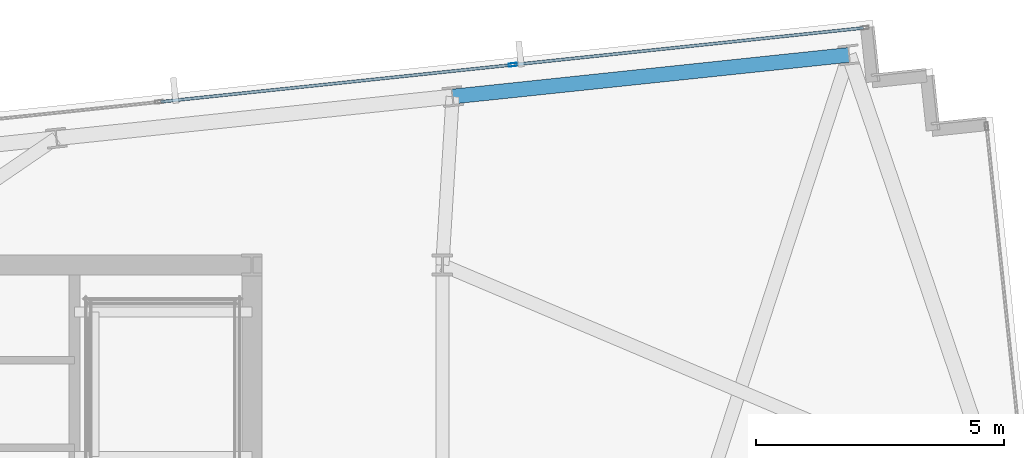
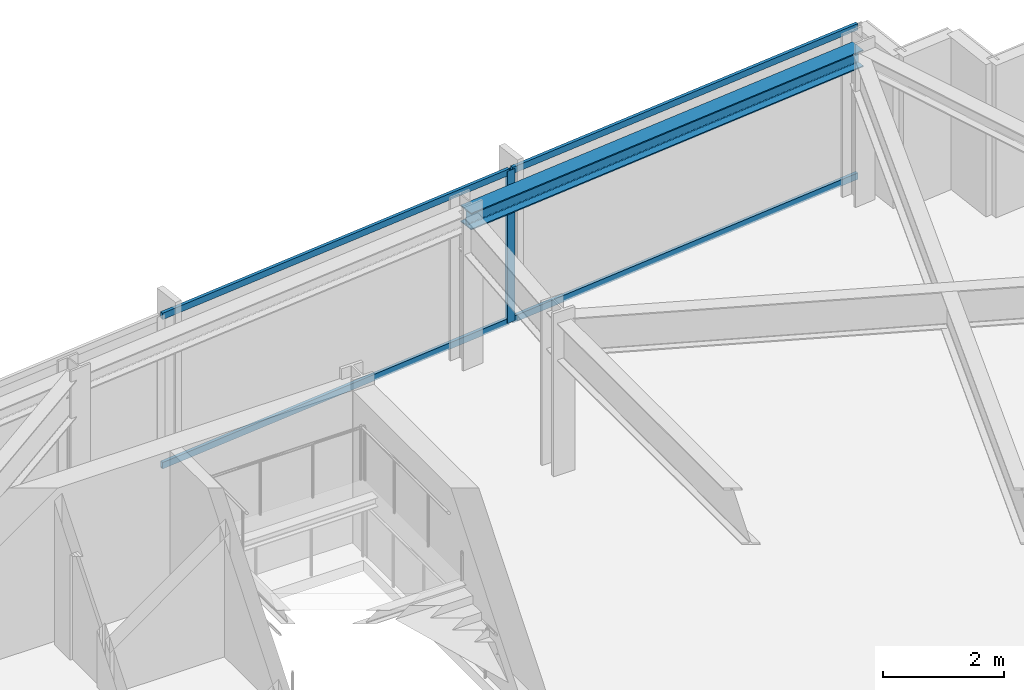
# One storey, part 24 of 33: 5 members, 1 beam, 1 element without a shape of its own.
"""IFC4 building model written with IfcOpenShell, lengths in metres."""

import ifcopenshell
import ifcopenshell.guid

model = None  # the IFC model being written
_history = None  # IfcOwnerHistory: only IFC2X3 demands one
_inside = {}  # id of a spatial element -> (the spatial element, [elements in it])
_under = {}  # id of a project, library or spatial element -> (it, [spatial elements below it])
_declared = {}  # id of a project -> (the project, [libraries it declares])
_typed = {}  # id of a type object -> (the type object, [elements of that type])
_made_of = {}  # id of a material, layer set ... -> (it, [elements and type objects made of it])


def new_model(schema):
    """Start an empty IFC model of exactly this schema.

    Asked for "IFC4X3", IfcOpenShell would pick the latest addendum, in which some entities
    have other attributes; the version numbers below select the first issue.
    IFC2X3 requires an IfcOwnerHistory on every rooted entity: one is made here for all.
    """
    global model, _history
    if schema == "IFC4X3":
        model = ifcopenshell.file(schema_version=(4, 3, 0, 0))
    else:
        model = ifcopenshell.file(schema=schema)
    _inside.clear()
    _under.clear()
    _declared.clear()
    _typed.clear()
    _made_of.clear()
    _history = None
    if model.schema == "IFC2X3":
        org = make("IfcOrganization", Name="unknown")
        user = make(
            "IfcPersonAndOrganization",
            ThePerson=make("IfcPerson", FamilyName="unknown"),
            TheOrganization=org,
        )
        app = make(
            "IfcApplication",
            ApplicationDeveloper=org,
            Version="unknown",
            ApplicationFullName="unknown",
            ApplicationIdentifier="unknown",
        )
        _history = make(
            "IfcOwnerHistory",
            OwningUser=user,
            OwningApplication=app,
            ChangeAction="ADDED",
            CreationDate=0,
        )
    return model


def make(cls, **values):
    """One entity of the class cls with the attributes given. An attribute that is None is left unset."""
    return model.create_entity(
        cls, **{name: value for name, value in values.items() if value is not None}
    )


def rooted(cls, **values):
    """An entity with a GlobalId (a new one), such as an element, a storey or a relation."""
    return make(cls, GlobalId=ifcopenshell.guid.new(), OwnerHistory=_history, **values)


def si_unit(unit_type, name, prefix=None):
    """IfcSIUnit, for example si_unit("LENGTHUNIT", "METRE", prefix="MILLI")."""
    return make("IfcSIUnit", UnitType=unit_type, Prefix=prefix, Name=name)


def assignment(units):
    """IfcUnitAssignment: the units of a project."""
    return None if units is None else make("IfcUnitAssignment", Units=units)


def point(xyz):
    """IfcCartesianPoint."""
    return None if xyz is None else make("IfcCartesianPoint", Coordinates=xyz)


def direction(xyz):
    """IfcDirection."""
    return None if xyz is None else make("IfcDirection", DirectionRatios=xyz)


def frame(location, z_axis=None, x_axis=None):
    """IfcAxis2Placement3D, a coordinate frame: its origin and axes. An axis left out is left unset."""
    return make(
        "IfcAxis2Placement3D",
        Location=point(location),
        Axis=direction(z_axis),
        RefDirection=direction(x_axis),
    )


def frame_2d(location, x_axis=None):
    """IfcAxis2Placement2D, a coordinate frame in the plane: its origin and x axis."""
    return make(
        "IfcAxis2Placement2D", Location=point(location), RefDirection=direction(x_axis)
    )


def origin():
    """The frame at (0, 0, 0) with its axes left unset."""
    return frame((0.0, 0.0, 0.0))


def origin_2d():
    """The frame at (0, 0) in the plane with its x axis left unset."""
    return frame_2d((0.0, 0.0))


def place(relative_to, where):
    """IfcLocalPlacement: puts the frame where relative to a parent placement (None: the world)."""
    return make(
        "IfcLocalPlacement", PlacementRelTo=relative_to, RelativePlacement=where
    )


def context(
    kind, dimensions, precision=None, world=None, true_north=None, identifier=None
):
    """IfcGeometricRepresentationContext, for example the 3D "Model" context."""
    return make(
        "IfcGeometricRepresentationContext",
        ContextIdentifier=identifier,
        ContextType=kind,
        CoordinateSpaceDimension=dimensions,
        Precision=precision,
        WorldCoordinateSystem=world,
        TrueNorth=true_north,
    )


def subcontext(parent, identifier, kind, view, scale=None):
    """IfcGeometricRepresentationSubContext, for example "Body" below "Model"."""
    return make(
        "IfcGeometricRepresentationSubContext",
        ContextIdentifier=identifier,
        ContextType=kind,
        ParentContext=parent,
        TargetScale=scale,
        TargetView=view,
    )


def project(units=None, contexts=None):
    """IfcProject with its units and contexts."""
    return rooted(
        "IfcProject",
        Name="project",
        RepresentationContexts=contexts,
        UnitsInContext=assignment(units),
    )


def spatial(cls, under=None, at=None, **own):
    """A site, building, storey or space (cls), placed at a placement, below another one or the project."""
    s = rooted(cls, ObjectPlacement=at, **own)
    if under is not None:
        _under.setdefault(under.id(), (under, []))[1].append(s)
    return s


def profile(cls, at=None, kind="AREA", **sizes):
    """A parametric profile (cls). Its sizes go by their IFC names, for example OverallWidth=200.0."""
    return make(cls, ProfileType=kind, Position=at, **sizes)


def hollow_rectangle(**sizes):
    """IfcRectangleHollowProfileDef."""
    return profile("IfcRectangleHollowProfileDef", **sizes)


def i_section(**sizes):
    """IfcIShapeProfileDef."""
    return profile("IfcIShapeProfileDef", **sizes)


def extrude(swept, where, along, depth):
    """IfcExtrudedAreaSolid: the profile swept, set in the frame where, extruded along a direction by depth."""
    return make(
        "IfcExtrudedAreaSolid",
        SweptArea=swept,
        Position=where,
        ExtrudedDirection=direction(along),
        Depth=depth,
    )


def shape(context_of_items, identifier, shape_type, items):
    """IfcShapeRepresentation: the items that make up one representation, for example the "Body"."""
    return make(
        "IfcShapeRepresentation",
        ContextOfItems=context_of_items,
        RepresentationIdentifier=identifier,
        RepresentationType=shape_type,
        Items=items,
    )


def material(Name=None, Category=None):
    """IfcMaterial."""
    return make("IfcMaterial", Name=Name, Category=Category)


def material_profile(
    of_material, cross_section, Name=None, Category=None, Priority=None
):
    """IfcMaterialProfile: a cross section and its material."""
    return make(
        "IfcMaterialProfile",
        Name=Name,
        Material=of_material,
        Profile=cross_section,
        Priority=Priority,
        Category=Category,
    )


def profile_set(profiles, Name=None, composite=None):
    """IfcMaterialProfileSet."""
    return make(
        "IfcMaterialProfileSet",
        Name=Name,
        MaterialProfiles=profiles,
        CompositeProfile=composite,
    )


def made_of(thing, what):
    """Note that an element or type object is made of a material, layer set ...; save() writes the relation."""
    if what is not None:
        _made_of.setdefault(what.id(), (what, []))[1].append(thing)
    return thing


def type_object(cls, material=None, **own):
    """A type object (cls), such as IfcWallType, which elements share."""
    return made_of(rooted(cls, **own), material)


def element(
    cls,
    number,
    at=None,
    inside=None,
    cuts=None,
    type_object=None,
    material=None,
    context=None,
    identifier="Body",
    shape_type=None,
    held_by="IfcProductDefinitionShape",
    body=None,
    shapes=None,
    **own,
):
    """One element of the class cls, such as IfcWall. Its Tag is "e" and its number.

    at: its placement. inside: the storey or other place that contains it. cuts: it is an
    opening in that element (IfcRelVoidsElement). A single representation is given by context,
    identifier, shape_type and body (its items); several are given by shapes. held_by: the class
    of the entity that holds the representations. save() writes the other relations.
    """
    e = rooted(cls, Tag="e%d" % number, ObjectPlacement=at, **own)
    if body is not None:
        shapes = [shape(context, identifier, shape_type, body)]
    if shapes is not None:
        e.Representation = make(held_by, Representations=shapes)
    if inside is not None:
        _inside.setdefault(inside.id(), (inside, []))[1].append(e)
    if cuts is not None:
        rooted(
            "IfcRelVoidsElement", RelatingBuildingElement=cuts, RelatedOpeningElement=e
        )
    if type_object is not None:
        _typed.setdefault(type_object.id(), (type_object, []))[1].append(e)
    return made_of(e, material)


def aggregate(whole, parts):
    """IfcRelAggregates: a whole, such as a stair, and the parts it consists of."""
    return rooted("IfcRelAggregates", RelatingObject=whole, RelatedObjects=parts)


def save(model, path):
    """Write the relations noted so far, then the file.

    IfcRelAggregates (storeys below a building ...), IfcRelContainedInSpatialStructure (elements
    in a storey), IfcRelDefinesByType, IfcRelAssociatesMaterial and IfcRelDeclares: one each for
    every whole, place, type object, material and project.
    """
    for whole, parts in _under.values():
        aggregate(whole, parts)
    for where, things in _inside.values():
        rooted(
            "IfcRelContainedInSpatialStructure",
            RelatedElements=things,
            RelatingStructure=where,
        )
    for kind, things in _typed.values():
        rooted("IfcRelDefinesByType", RelatedObjects=things, RelatingType=kind)
    for what, things in _made_of.values():
        rooted("IfcRelAssociatesMaterial", RelatedObjects=things, RelatingMaterial=what)
    for by, libraries in _declared.values():
        rooted("IfcRelDeclares", RelatingContext=by, RelatedDefinitions=libraries)
    model.write(path)


model = new_model("IFC4")

# Units and contexts
model_context = context("Model", 3, precision=1e-05, world=origin(), true_north=direction((0.0, 1.0)))
body_context = subcontext(model_context, "Body", "Model", "MODEL_VIEW")
ifc_project = project(units=[si_unit("LENGTHUNIT", "METRE"), si_unit("AREAUNIT", "SQUARE_METRE"), si_unit("VOLUMEUNIT", "CUBIC_METRE"), si_unit("PLANEANGLEUNIT", "RADIAN"), si_unit("MASSUNIT", "GRAM", prefix="KILO")], contexts=[model_context])

# Site, building, storey
site_placement = place(None, origin())
site = spatial("IfcSite", under=ifc_project, at=site_placement, CompositionType="ELEMENT")
building_placement = place(site_placement, origin())
building = spatial("IfcBuilding", under=site, at=building_placement, Name="Yelkora Congress Tower", CompositionType="ELEMENT")
storey_placement = place(building_placement, frame((0.0, 0.0, 227.60009765625)))
storey = spatial("IfcBuildingStorey", under=building, at=storey_placement, Name="L63", CompositionType="ELEMENT", Elevation=227.60009765625)

# Beam
ifc_material_1 = material(Name="Steel S355J2", Category="steel")
ifc_material_profile_1 = material_profile(ifc_material_1, i_section(OverallWidth=0.300048828125, OverallDepth=0.340087890625, WebThickness=0.011962890625, FlangeThickness=0.021484375, FilletRadius=0.027099609375, at=origin_2d()), Name="HEB 340")
ifc_profile_set_1 = profile_set([ifc_material_profile_1], Name="Steel S355J2")
beam_type = type_object("IfcBeamType", Name="BM-SPAN-HEB340", PredefinedType="SPANDREL", material=ifc_profile_set_1)
beam_placement = place(storey_placement, frame((65.7958984375, 50.4365234375, 2.909912109375), z_axis=(-0.994520097542, -0.104545567032, 0.0), x_axis=(0.104545567032, -0.994520097542, 0.0)))
element("IfcBeam", 1, at=beam_placement, inside=storey, type_object=beam_type, Name="L63 Perimeter Beam 13", PredefinedType="SPANDREL", context=body_context, shape_type="SweptSolid", body=[
    extrude(i_section(OverallWidth=0.300048828125, OverallDepth=0.340087890625, WebThickness=0.011962890625, FlangeThickness=0.021484375, FilletRadius=0.027099609375, at=origin_2d()), origin(), (0.0, 0.0, 1.0), 8.033203125),
])

# Curtain wall, members
ifc_material_2 = material(Name="Anodised aluminium and insulated glass", Category="aluminium")
curtain_wall_type = type_object("IfcCurtainWallType", Name="CW-SYS-B4", PredefinedType="NOTDEFINED", material=ifc_material_2)
curtain_wall_placement = place(storey_placement, origin())
curtain_wall = element("IfcCurtainWall", 2, at=curtain_wall_placement, inside=storey, type_object=curtain_wall_type, Name="L63 Unitised Curtain Wall 10 (3)", PredefinedType="NOTDEFINED")
ifc_material_3 = material(Name="Anodised aluminium 6063-T6", Category="aluminium")
ifc_material_profile_2 = material_profile(ifc_material_3, hollow_rectangle(XDim=0.06494140625, YDim=0.159912109375, WallThickness=0.00390625, at=origin_2d()), Name="ALU 65x160x4")
ifc_profile_set_2 = profile_set([ifc_material_profile_2], Name="Anodised aluminium 6063-T6")
member_type_1 = type_object("IfcMemberType", Name="MEM-ML-B4", PredefinedType="MULLION", material=ifc_profile_set_2)
member_1_placement = place(storey_placement, frame((59.019775390625, 50.237060546875, 0.0), z_axis=(0.0, 0.0, 1.0), x_axis=(-0.104527724021, 0.994521973066, 0.0)))
member_1 = element("IfcMember", 3, at=member_1_placement, type_object=member_type_1, Name="CW-B4 mullion 6", PredefinedType="MULLION", context=body_context, shape_type="SweptSolid", body=[
    extrude(hollow_rectangle(XDim=0.06494140625, YDim=0.159912109375, WallThickness=0.00390625, at=origin_2d()), origin(), (0.0, 0.0, 1.0), 3.079833984375),
])
ifc_material_profile_3 = material_profile(ifc_material_3, hollow_rectangle(XDim=0.06005859375, YDim=0.1298828125, WallThickness=0.00390625, at=origin_2d()), Name="ALU 60x130x4")
ifc_profile_set_3 = profile_set([ifc_material_profile_3], Name="Anodised aluminium 6063-T6")
member_type_2 = type_object("IfcMemberType", Name="MEM-TR-B4", PredefinedType="USERDEFINED", material=ifc_profile_set_3)
member_2_placement = place(storey_placement, frame((51.92138671875, 49.490966796875, 0.02978515625), z_axis=(0.99452200925, 0.104527379751, 0.0), x_axis=(-0.104527379751, 0.99452200925, 0.0)))
member_2 = element("IfcMember", 4, at=member_2_placement, type_object=member_type_2, Name="CW-B4 transom 5.1", ObjectType="TRANSOM", PredefinedType="USERDEFINED", context=body_context, shape_type="SweptSolid", body=[
    extrude(hollow_rectangle(XDim=0.06005859375, YDim=0.1298828125, WallThickness=0.00390625, at=origin_2d()), origin(), (0.0, 0.0, 1.0), 7.10498046875),
])
member_3_placement = place(storey_placement, frame((51.92138671875, 49.490966796875, 3.0498046875), z_axis=(0.99452200925, 0.104527379751, 0.0), x_axis=(-0.104527379751, 0.99452200925, 0.0)))
member_3 = element("IfcMember", 5, at=member_3_placement, type_object=member_type_2, Name="CW-B4 transom 5.2", ObjectType="TRANSOM", PredefinedType="USERDEFINED", context=body_context, shape_type="SweptSolid", body=[
    extrude(hollow_rectangle(XDim=0.06005859375, YDim=0.1298828125, WallThickness=0.00390625, at=origin_2d()), origin(), (0.0, 0.0, 1.0), 7.10498046875),
])
member_4_placement = place(storey_placement, frame((59.052001953125, 50.240478515625, 0.02978515625), z_axis=(0.994522462765, 0.104523064706, 0.0), x_axis=(-0.104523064706, 0.994522462765, 0.0)))
member_4 = element("IfcMember", 6, at=member_4_placement, type_object=member_type_2, Name="CW-B4 transom 6.1", ObjectType="TRANSOM", PredefinedType="USERDEFINED", context=body_context, shape_type="SweptSolid", body=[
    extrude(hollow_rectangle(XDim=0.06005859375, YDim=0.1298828125, WallThickness=0.00390625, at=origin_2d()), origin(), (0.0, 0.0, 1.0), 7.07275390625),
])
member_5_placement = place(storey_placement, frame((59.052001953125, 50.240478515625, 3.0498046875), z_axis=(0.994522462765, 0.104523064706, 0.0), x_axis=(-0.104523064706, 0.994522462765, 0.0)))
member_5 = element("IfcMember", 7, at=member_5_placement, type_object=member_type_2, Name="CW-B4 transom 6.2", ObjectType="TRANSOM", PredefinedType="USERDEFINED", context=body_context, shape_type="SweptSolid", body=[
    extrude(hollow_rectangle(XDim=0.06005859375, YDim=0.1298828125, WallThickness=0.00390625, at=origin_2d()), origin(), (0.0, 0.0, 1.0), 7.07275390625),
])
aggregate(curtain_wall, [member_1, member_2, member_3, member_4, member_5])

save(model, "model.ifc")
